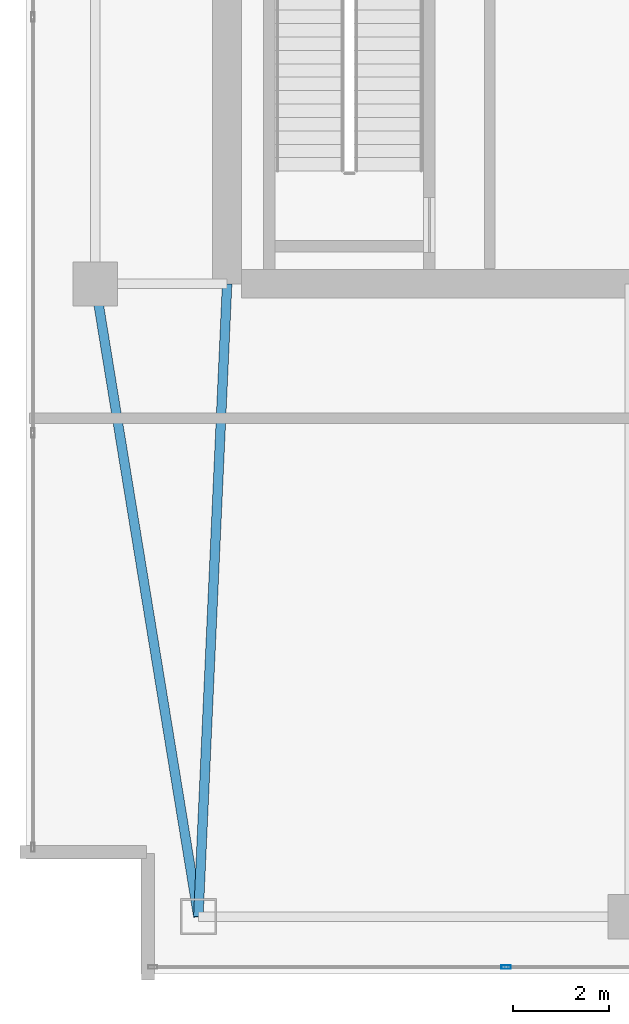
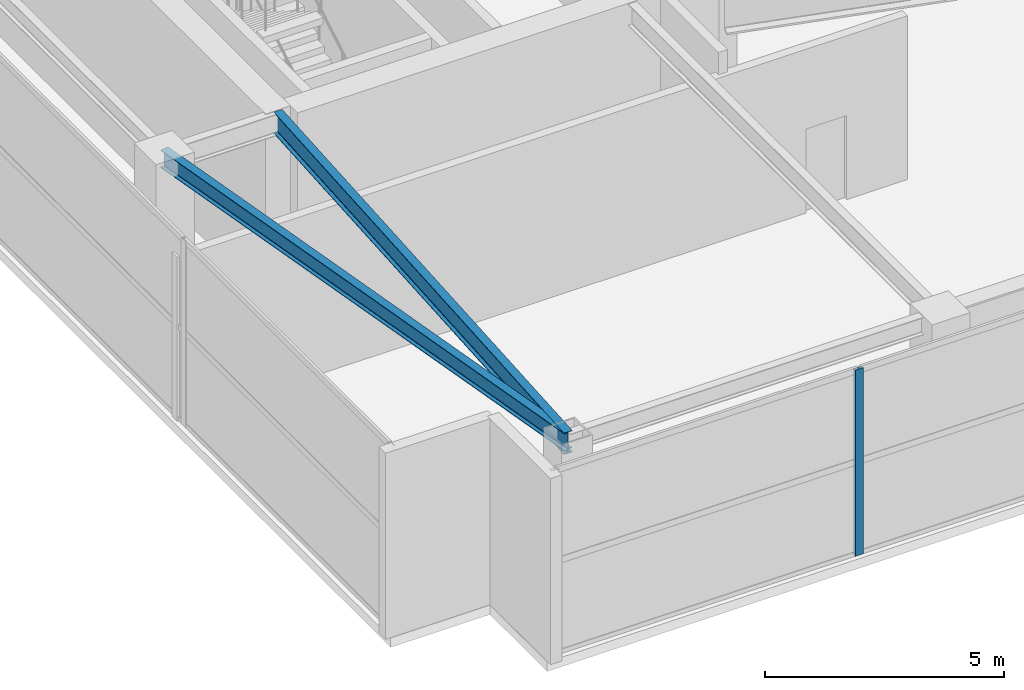
# One storey, part 4 of 21: 2 beams, 1 member, 1 element without a shape of its own.
"""IFC4 building model written with IfcOpenShell, lengths in metres."""

from ifc_helpers import new_model, si_unit, direction, frame, origin, origin_2d, place, context, subcontext, project, spatial, hollow_rectangle, i_section, extrude, material, layer, layer_set, material_profile, profile_set, type_object, element, aggregate, save


model = new_model("IFC4")

# Units and contexts
model_context = context("Model", 3, precision=1e-05, world=origin(), true_north=direction((0.0, 1.0)))
body_context = subcontext(model_context, "Body", "Model", "MODEL_VIEW")
ifc_project = project(units=[si_unit("LENGTHUNIT", "METRE"), si_unit("AREAUNIT", "SQUARE_METRE"), si_unit("VOLUMEUNIT", "CUBIC_METRE"), si_unit("PLANEANGLEUNIT", "RADIAN"), si_unit("MASSUNIT", "GRAM", prefix="KILO")], contexts=[model_context])

# Site, building, storey
site_placement = place(None, origin())
site = spatial("IfcSite", under=ifc_project, at=site_placement, CompositionType="ELEMENT")
building_placement = place(site_placement, origin())
building = spatial("IfcBuilding", under=site, at=building_placement, Name="Calvorn Quay Hotel", CompositionType="ELEMENT")
storey_placement = place(building_placement, frame((0.0, 0.0, 320.5)))
storey = spatial("IfcBuildingStorey", under=building, at=storey_placement, Name="L79", CompositionType="ELEMENT", Elevation=320.5)

# Beams
ifc_material_1 = material(Name="Steel Q355B", Category="steel")
ifc_material_profile_1 = material_profile(ifc_material_1, i_section(OverallWidth=0.199951171875, OverallDepth=0.550048828125, WebThickness=0.010009765625, FlangeThickness=0.01611328125, FilletRadius=0.01806640625, at=origin_2d()), Name="HN550x200x10x16")
ifc_profile_set_1 = profile_set([ifc_material_profile_1], Name="Steel Q355B")
beam_type_1 = type_object("IfcBeamType", Name="BM-GIRD-UPP", PredefinedType="BEAM", material=ifc_profile_set_1)
beam_1_placement = place(storey_placement, frame((3.60009765625, 3.60009765625, 4.465087890625), z_axis=(0.045396765494, 0.998969035397, 0.0), x_axis=(-0.998969035397, 0.045396765494, 0.0)))
element("IfcBeam", 1, at=beam_1_placement, inside=storey, type_object=beam_type_1, Name="Beam BG-L79-W0", PredefinedType="BEAM", context=body_context, shape_type="SweptSolid", body=[
    extrude(i_section(OverallWidth=0.199951171875, OverallDepth=0.550048828125, WebThickness=0.010009765625, FlangeThickness=0.01611328125, FilletRadius=0.01806640625, at=origin_2d()), origin(), (0.0, 0.0, 1.0), 13.213623046875),
])
ifc_material_2 = material(Name="Steel Q355B", Category="steel")
ifc_material_profile_2 = material_profile(ifc_material_2, i_section(OverallWidth=0.199951171875, OverallDepth=0.449951171875, WebThickness=0.009033203125, FlangeThickness=0.013916015625, FilletRadius=0.01611328125, at=origin_2d()), Name="HN450x200x9x14")
ifc_profile_set_2 = profile_set([ifc_material_profile_2], Name="Steel Q355B")
beam_type_2 = type_object("IfcBeamType", Name="BM-SPANDREL-Z3", PredefinedType="SPANDREL", material=ifc_profile_set_2)
beam_2_placement = place(storey_placement, frame((3.60009765625, 3.60009765625, 4.514892578125), z_axis=(-0.16077155054, 0.986991645627, 0.0), x_axis=(-0.986991645627, -0.16077155054, 0.0)))
element("IfcBeam", 2, at=beam_2_placement, inside=storey, type_object=beam_type_2, Name="Beam BSP-L79-W1", PredefinedType="SPANDREL", context=body_context, shape_type="SweptSolid", body=[
    extrude(i_section(OverallWidth=0.199951171875, OverallDepth=0.449951171875, WebThickness=0.009033203125, FlangeThickness=0.013916015625, FilletRadius=0.01611328125, at=origin_2d()), origin(), (0.0, 0.0, 1.0), 13.3740234375),
])

# Curtain wall, member
ifc_material_3 = material(Name="Pale Anodised Aluminium and Laminated Glass", Category="aluminium")
ifc_layer = layer(ifc_material_3, 0.219970703125)
ifc_layer_set = layer_set([ifc_layer], Name="CW-SYS-CRN")
curtain_wall_type = type_object("IfcCurtainWallType", Name="CW-SYS-CRN", PredefinedType="NOTDEFINED", material=ifc_layer_set)
curtain_wall_placement = place(storey_placement, origin())
curtain_wall = element("IfcCurtainWall", 3, at=curtain_wall_placement, inside=storey, type_object=curtain_wall_type, Name="Crown Curtain Wall L79-C1", PredefinedType="NOTDEFINED")
ifc_material_4 = material(Name="Pale Anodised Aluminium 6063-T6", Category="aluminium")
ifc_material_profile_3 = material_profile(ifc_material_4, hollow_rectangle(XDim=0.072021484375, YDim=0.195068359375, WallThickness=0.00390625, at=origin_2d()), Name="ALU-M195x72x4")
ifc_profile_set_3 = profile_set([ifc_material_profile_3], Name="Pale Anodised Aluminium 6063-T6")
member_type = type_object("IfcMemberType", Name="CW-SYS-CRN-MUL", PredefinedType="MULLION", material=ifc_profile_set_3)
member_placement = place(storey_placement, frame((10.018310546875, 2.550048828125, 0.0), z_axis=(0.0, 0.0, 1.0), x_axis=(0.0, 1.0, 0.0)))
member = element("IfcMember", 4, at=member_placement, type_object=member_type, Name="CW-L79-C1 mullion 2", PredefinedType="MULLION", context=body_context, shape_type="SweptSolid", body=[
    extrude(hollow_rectangle(XDim=0.072021484375, YDim=0.195068359375, WallThickness=0.00390625, at=origin_2d()), origin(), (0.0, 0.0, 1.0), 4.760009765625),
])
aggregate(curtain_wall, [member])

save(model, "model.ifc")
